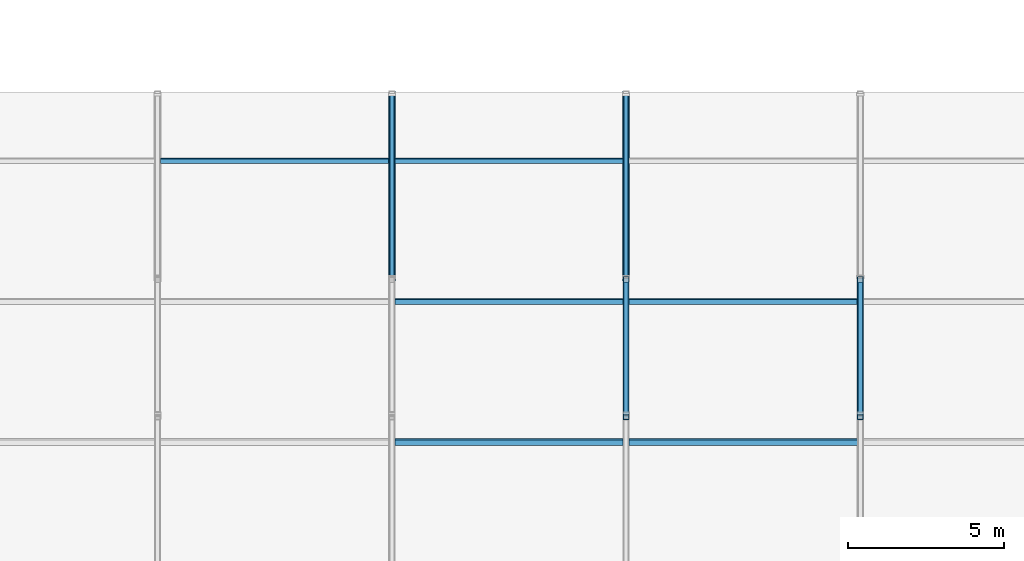
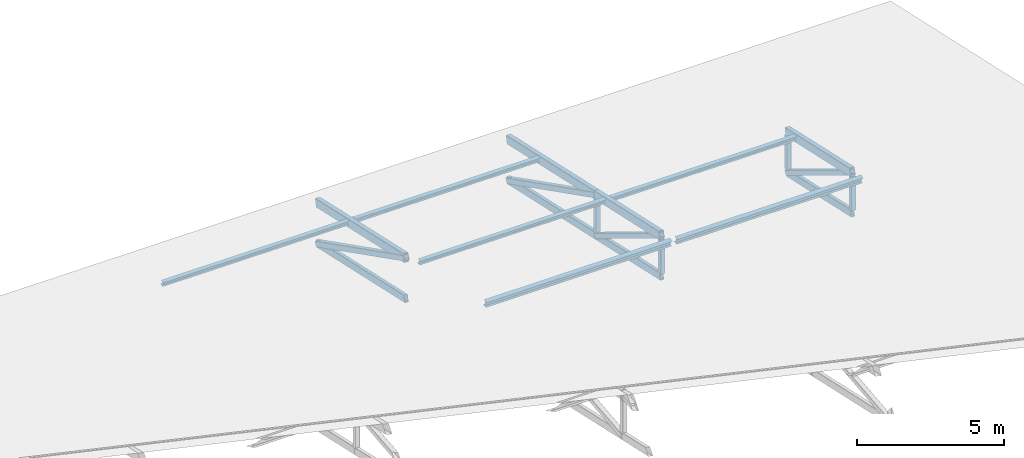
# One storey, part 35 of 77: 22 members.
"""IFC4 building model written with IfcOpenShell, lengths in metres."""

from ifc_helpers import new_model, si_unit, direction, frame, origin, origin_2d, place, context, subcontext, project, spatial, hollow_rectangle, i_section, extrude, material, material_profile, profile_set, type_object, element, save


model = new_model("IFC4")

# Units and contexts
model_context = context("Model", 3, precision=1e-05, world=origin(), true_north=direction((0.0, 1.0)))
body_context = subcontext(model_context, "Body", "Model", "MODEL_VIEW")
ifc_project = project(units=[si_unit("LENGTHUNIT", "METRE"), si_unit("AREAUNIT", "SQUARE_METRE"), si_unit("VOLUMEUNIT", "CUBIC_METRE"), si_unit("PLANEANGLEUNIT", "RADIAN"), si_unit("MASSUNIT", "GRAM", prefix="KILO")], contexts=[model_context])

# Site, building, storey
site_placement = place(None, origin())
site = spatial("IfcSite", under=ifc_project, at=site_placement, CompositionType="ELEMENT")
building_placement = place(site_placement, origin())
building = spatial("IfcBuilding", under=site, at=building_placement, Name="Yukiwa Park Conservatory and Herbarium", CompositionType="ELEMENT")
storey_placement = place(building_placement, frame((0.0, 0.0, 13.199951171875)))
storey = spatial("IfcBuildingStorey", under=building, at=storey_placement, Name="L03", CompositionType="ELEMENT", Elevation=13.199951171875)

# Members
ifc_material_1 = material(Name="Steel Q355D", Category="steel")
ifc_material_profile_1 = material_profile(ifc_material_1, hollow_rectangle(XDim=0.14990234375, YDim=0.300048828125, WallThickness=0.010009765625, InnerFilletRadius=0.010009765625, OuterFilletRadius=0.02001953125, at=origin_2d()), Name="RHS 300x150x10")
ifc_profile_set_1 = profile_set([ifc_material_profile_1], Name="Steel Q355D")
member_type_1 = type_object("IfcMemberType", Name="MB-AU-CHORD300", PredefinedType="CHORD", material=ifc_profile_set_1)
member_1_placement = place(storey_placement, frame((37.5, 103.199951171875, -3.0947265625), z_axis=(0.0, 0.976245966032, -0.216665211344), x_axis=(-1.0, 0.0, 0.0)))
element("IfcMember", 1, at=member_1_placement, inside=storey, type_object=member_type_1, Name="Auditorium roof truss 4 bottom chord 6", PredefinedType="CHORD", context=body_context, shape_type="SweptSolid", body=[
    extrude(hollow_rectangle(XDim=0.14990234375, YDim=0.300048828125, WallThickness=0.010009765625, InnerFilletRadius=0.010009765625, OuterFilletRadius=0.02001953125, at=origin_2d()), origin(), (0.0, 0.0, 1.0), 6.139892578125),
])
member_2_placement = place(storey_placement, frame((45.0, 98.800048828125, -2.119384765625), z_axis=(0.0, 0.976300370705, -0.216419930139), x_axis=(-1.0, 0.0, 0.0)))
element("IfcMember", 2, at=member_2_placement, inside=storey, type_object=member_type_1, Name="Auditorium roof truss 5 bottom chord 5", PredefinedType="CHORD", context=body_context, shape_type="SweptSolid", body=[
    extrude(hollow_rectangle(XDim=0.14990234375, YDim=0.300048828125, WallThickness=0.010009765625, InnerFilletRadius=0.010009765625, OuterFilletRadius=0.02001953125, at=origin_2d()), origin(), (0.0, 0.0, 1.0), 4.506591796875),
])
member_3_placement = place(storey_placement, frame((45.0, 103.199951171875, -3.0947265625), z_axis=(0.0, 0.976245966032, -0.216665211344), x_axis=(-1.0, 0.0, 0.0)))
element("IfcMember", 3, at=member_3_placement, inside=storey, type_object=member_type_1, Name="Auditorium roof truss 5 bottom chord 6", PredefinedType="CHORD", context=body_context, shape_type="SweptSolid", body=[
    extrude(hollow_rectangle(XDim=0.14990234375, YDim=0.300048828125, WallThickness=0.010009765625, InnerFilletRadius=0.010009765625, OuterFilletRadius=0.02001953125, at=origin_2d()), origin(), (0.0, 0.0, 1.0), 6.139892578125),
])
member_4_placement = place(storey_placement, frame((52.5, 98.800048828125, -2.119384765625), z_axis=(0.0, 0.976300370705, -0.216419930139), x_axis=(-1.0, 0.0, 0.0)))
element("IfcMember", 4, at=member_4_placement, inside=storey, type_object=member_type_1, Name="Auditorium roof truss 6 bottom chord 5", PredefinedType="CHORD", context=body_context, shape_type="SweptSolid", body=[
    extrude(hollow_rectangle(XDim=0.14990234375, YDim=0.300048828125, WallThickness=0.010009765625, InnerFilletRadius=0.010009765625, OuterFilletRadius=0.02001953125, at=origin_2d()), origin(), (0.0, 0.0, 1.0), 4.506591796875),
])
ifc_material_2 = material(Name="Steel Q355D", Category="steel")
ifc_material_profile_2 = material_profile(ifc_material_2, hollow_rectangle(XDim=0.199951171875, YDim=0.35009765625, WallThickness=0.011962890625, InnerFilletRadius=0.011962890625, OuterFilletRadius=0.02392578125, at=origin_2d()), Name="RHS 350x200x12")
ifc_profile_set_2 = profile_set([ifc_material_profile_2], Name="Steel Q355D")
member_type_2 = type_object("IfcMemberType", Name="MB-AU-CHORD350", PredefinedType="CHORD", material=ifc_profile_set_2)
member_5_placement = place(storey_placement, frame((37.5, 103.199951171875, -1.394775390625), z_axis=(0.0, 0.976254375849, -0.216627315071), x_axis=(-1.0, 0.0, 0.0)))
element("IfcMember", 5, at=member_5_placement, inside=storey, type_object=member_type_2, Name="Auditorium roof truss 4 top chord 6", PredefinedType="CHORD", context=body_context, shape_type="SweptSolid", body=[
    extrude(hollow_rectangle(XDim=0.199951171875, YDim=0.35009765625, WallThickness=0.011962890625, InnerFilletRadius=0.011962890625, OuterFilletRadius=0.02392578125, at=origin_2d()), origin(), (0.0, 0.0, 1.0), 6.139892578125),
])
member_6_placement = place(storey_placement, frame((45.0, 98.800048828125, -0.41943359375), z_axis=(0.0, 0.976300370705, -0.216419930139), x_axis=(-1.0, 0.0, 0.0)))
element("IfcMember", 6, at=member_6_placement, inside=storey, type_object=member_type_2, Name="Auditorium roof truss 5 top chord 5", PredefinedType="CHORD", context=body_context, shape_type="SweptSolid", body=[
    extrude(hollow_rectangle(XDim=0.199951171875, YDim=0.35009765625, WallThickness=0.011962890625, InnerFilletRadius=0.011962890625, OuterFilletRadius=0.02392578125, at=origin_2d()), origin(), (0.0, 0.0, 1.0), 4.506591796875),
])
member_7_placement = place(storey_placement, frame((45.0, 103.199951171875, -1.394775390625), z_axis=(0.0, 0.976254375849, -0.216627315071), x_axis=(-1.0, 0.0, 0.0)))
element("IfcMember", 7, at=member_7_placement, inside=storey, type_object=member_type_2, Name="Auditorium roof truss 5 top chord 6", PredefinedType="CHORD", context=body_context, shape_type="SweptSolid", body=[
    extrude(hollow_rectangle(XDim=0.199951171875, YDim=0.35009765625, WallThickness=0.011962890625, InnerFilletRadius=0.011962890625, OuterFilletRadius=0.02392578125, at=origin_2d()), origin(), (0.0, 0.0, 1.0), 6.139892578125),
])
member_8_placement = place(storey_placement, frame((52.5, 98.800048828125, -0.41943359375), z_axis=(0.0, 0.976300370705, -0.216419930139), x_axis=(-1.0, 0.0, 0.0)))
element("IfcMember", 8, at=member_8_placement, inside=storey, type_object=member_type_2, Name="Auditorium roof truss 6 top chord 5", PredefinedType="CHORD", context=body_context, shape_type="SweptSolid", body=[
    extrude(hollow_rectangle(XDim=0.199951171875, YDim=0.35009765625, WallThickness=0.011962890625, InnerFilletRadius=0.011962890625, OuterFilletRadius=0.02392578125, at=origin_2d()), origin(), (0.0, 0.0, 1.0), 4.506591796875),
])
ifc_material_3 = material(Name="Steel Q355D", Category="steel")
ifc_material_profile_3 = material_profile(ifc_material_3, hollow_rectangle(XDim=0.199951171875, YDim=0.199951171875, WallThickness=0.010009765625, InnerFilletRadius=0.010009765625, OuterFilletRadius=0.02001953125, at=origin_2d()), Name="SHS 200x200x10")
ifc_profile_set_3 = profile_set([ifc_material_profile_3], Name="Steel Q355D")
member_type_3 = type_object("IfcMemberType", Name="MB-AU-DIAG200", PredefinedType="BRACE", material=ifc_profile_set_3)
for number, where, z_axis, x_axis, name in (
    (9, (45.0, 98.800048828125, -0.41943359375), (0.0, 0.854449311862, -0.519534766362), (-1.0, 0.0, 0.0), "Auditorium roof truss 5 web diagonal 5"),
    (10, (52.5, 98.800048828125, -0.41943359375), (0.0, 0.854449311862, -0.519534766362), (-1.0, 0.0, 0.0), "Auditorium roof truss 6 web diagonal 5"),
):
    element("IfcMember", number, at=place(storey_placement, frame(where, z_axis=z_axis, x_axis=x_axis)), inside=storey, type_object=member_type_3, Name=name, PredefinedType="BRACE", context=body_context, shape_type="SweptSolid", body=[
        extrude(hollow_rectangle(XDim=0.199951171875, YDim=0.199951171875, WallThickness=0.010009765625, InnerFilletRadius=0.010009765625, OuterFilletRadius=0.02001953125, at=origin_2d()), origin(), (0.0, 0.0, 1.0), 5.1494140625),
    ])
ifc_material_4 = material(Name="Steel Q355D", Category="steel")
ifc_material_profile_4 = material_profile(ifc_material_4, hollow_rectangle(XDim=0.219970703125, YDim=0.219970703125, WallThickness=0.010009765625, InnerFilletRadius=0.010009765625, OuterFilletRadius=0.02001953125, at=origin_2d()), Name="SHS 220x220x10")
ifc_profile_set_4 = profile_set([ifc_material_profile_4], Name="Steel Q355D")
member_type_4 = type_object("IfcMemberType", Name="MB-AU-DIAG220", PredefinedType="BRACE", material=ifc_profile_set_4)
for number, where, z_axis, x_axis, name in (
    (11, (37.5, 103.199951171875, -1.394775390625), (0.0, 0.89225586594, -0.45153014262), (-1.0, 0.0, 0.0), "Auditorium roof truss 4 web diagonal 6"),
    (12, (45.0, 103.199951171875, -1.394775390625), (0.0, 0.89225586594, -0.45153014262), (-1.0, 0.0, 0.0), "Auditorium roof truss 5 web diagonal 6"),
):
    element("IfcMember", number, at=place(storey_placement, frame(where, z_axis=z_axis, x_axis=x_axis)), inside=storey, type_object=member_type_4, Name=name, PredefinedType="BRACE", context=body_context, shape_type="SweptSolid", body=[
        extrude(hollow_rectangle(XDim=0.219970703125, YDim=0.219970703125, WallThickness=0.010009765625, InnerFilletRadius=0.010009765625, OuterFilletRadius=0.02001953125, at=origin_2d()), origin(), (0.0, 0.0, 1.0), 6.711181640625),
    ])
ifc_material_5 = material(Name="Steel Q355D", Category="steel")
ifc_material_profile_5 = material_profile(ifc_material_5, hollow_rectangle(XDim=0.179931640625, YDim=0.179931640625, WallThickness=0.008056640625, InnerFilletRadius=0.008056640625, OuterFilletRadius=0.01611328125, at=origin_2d()), Name="SHS 180x180x8")
ifc_profile_set_5 = profile_set([ifc_material_profile_5], Name="Steel Q355D")
member_type_5 = type_object("IfcMemberType", Name="MB-AU-WEB180", PredefinedType="MEMBER", material=ifc_profile_set_5)
for number, where, z_axis, x_axis, name in (
    (13, (45.0, 98.800048828125, -1.974365234375), (0.0, 0.0, 1.0), (1.0, 0.0, 0.0), "Auditorium roof truss 5 vertical web 4"),
    (14, (45.0, 103.199951171875, -2.94970703125), (0.0, 0.0, 1.0), (1.0, 0.0, 0.0), "Auditorium roof truss 5 vertical web 5"),
    (15, (52.5, 98.800048828125, -1.974365234375), (0.0, 0.0, 1.0), (1.0, 0.0, 0.0), "Auditorium roof truss 6 vertical web 4"),
    (16, (52.5, 103.199951171875, -2.94970703125), (0.0, 0.0, 1.0), (1.0, 0.0, 0.0), "Auditorium roof truss 6 vertical web 5"),
):
    element("IfcMember", number, at=place(storey_placement, frame(where, z_axis=z_axis, x_axis=x_axis)), inside=storey, type_object=member_type_5, Name=name, PredefinedType="MEMBER", context=body_context, shape_type="SweptSolid", body=[
        extrude(hollow_rectangle(XDim=0.179931640625, YDim=0.179931640625, WallThickness=0.008056640625, InnerFilletRadius=0.008056640625, OuterFilletRadius=0.01611328125, at=origin_2d()), origin(), (0.0, 0.0, 1.0), 1.385009765625),
    ])
ifc_material_6 = material(Name="Steel Q355D", Category="steel")
ifc_material_profile_6 = material_profile(ifc_material_6, i_section(OverallWidth=0.14990234375, OverallDepth=0.194091796875, WebThickness=0.006103515625, FlangeThickness=0.009033203125, FilletRadius=0.012939453125, at=origin_2d()), Name="HM 194x150x6x9")
ifc_profile_set_6 = profile_set([ifc_material_profile_6], Name="Steel Q355D")
member_type_6 = type_object("IfcMemberType", Name="MB-RF-PURL194", PredefinedType="PURLIN", material=ifc_profile_set_6)
for number, where, z_axis, x_axis, name in (
    (17, (30.094970703125, 107.0, -2.182373046875), (1.0, 0.0, 0.0), (0.0, 0.97629600712, 0.216439613938), "Auditorium roof purlin 3.107"),
    (18, (37.594970703125, 102.5, -1.1845703125), (1.0, 0.0, 0.0), (0.0, 0.97629600712, 0.216439613938), "Auditorium roof purlin 4.102"),
    (19, (37.594970703125, 107.0, -2.182373046875), (1.0, 0.0, 0.0), (0.0, 0.97629600712, 0.216439613938), "Auditorium roof purlin 4.107"),
    (20, (45.094970703125, 102.5, -1.1845703125), (1.0, 0.0, 0.0), (0.0, 0.97629600712, 0.216439613938), "Auditorium roof purlin 5.102"),
):
    element("IfcMember", number, at=place(storey_placement, frame(where, z_axis=z_axis, x_axis=x_axis)), inside=storey, type_object=member_type_6, Name=name, PredefinedType="PURLIN", context=body_context, shape_type="SweptSolid", body=[
        extrude(i_section(OverallWidth=0.14990234375, OverallDepth=0.194091796875, WebThickness=0.006103515625, FlangeThickness=0.009033203125, FilletRadius=0.012939453125, at=origin_2d()), origin(), (0.0, 0.0, 1.0), 7.31005859375),
    ])
ifc_material_7 = material(Name="Steel Q355D", Category="steel")
ifc_material_profile_7 = material_profile(ifc_material_7, i_section(OverallWidth=0.175048828125, OverallDepth=0.243896484375, WebThickness=0.007080078125, FlangeThickness=0.010986328125, FilletRadius=0.01611328125, at=origin_2d()), Name="HM 244x175x7x11")
ifc_profile_set_7 = profile_set([ifc_material_profile_7], Name="Steel Q355D")
member_type_7 = type_object("IfcMemberType", Name="MB-RF-PURL244", PredefinedType="PURLIN", material=ifc_profile_set_7)
for number, where, z_axis, x_axis, name in (
    (21, (37.594970703125, 98.0, -0.18701171875), (1.0, 0.0, 0.0), (0.0, 0.97629600712, 0.216439613938), "Auditorium roof purlin 4.98"),
    (22, (45.094970703125, 98.0, -0.18701171875), (1.0, 0.0, 0.0), (0.0, 0.97629600712, 0.216439613938), "Auditorium roof purlin 5.98"),
):
    element("IfcMember", number, at=place(storey_placement, frame(where, z_axis=z_axis, x_axis=x_axis)), inside=storey, type_object=member_type_7, Name=name, PredefinedType="PURLIN", context=body_context, shape_type="SweptSolid", body=[
        extrude(i_section(OverallWidth=0.175048828125, OverallDepth=0.243896484375, WebThickness=0.007080078125, FlangeThickness=0.010986328125, FilletRadius=0.01611328125, at=origin_2d()), origin(), (0.0, 0.0, 1.0), 7.31005859375),
    ])

save(model, "model.ifc")
